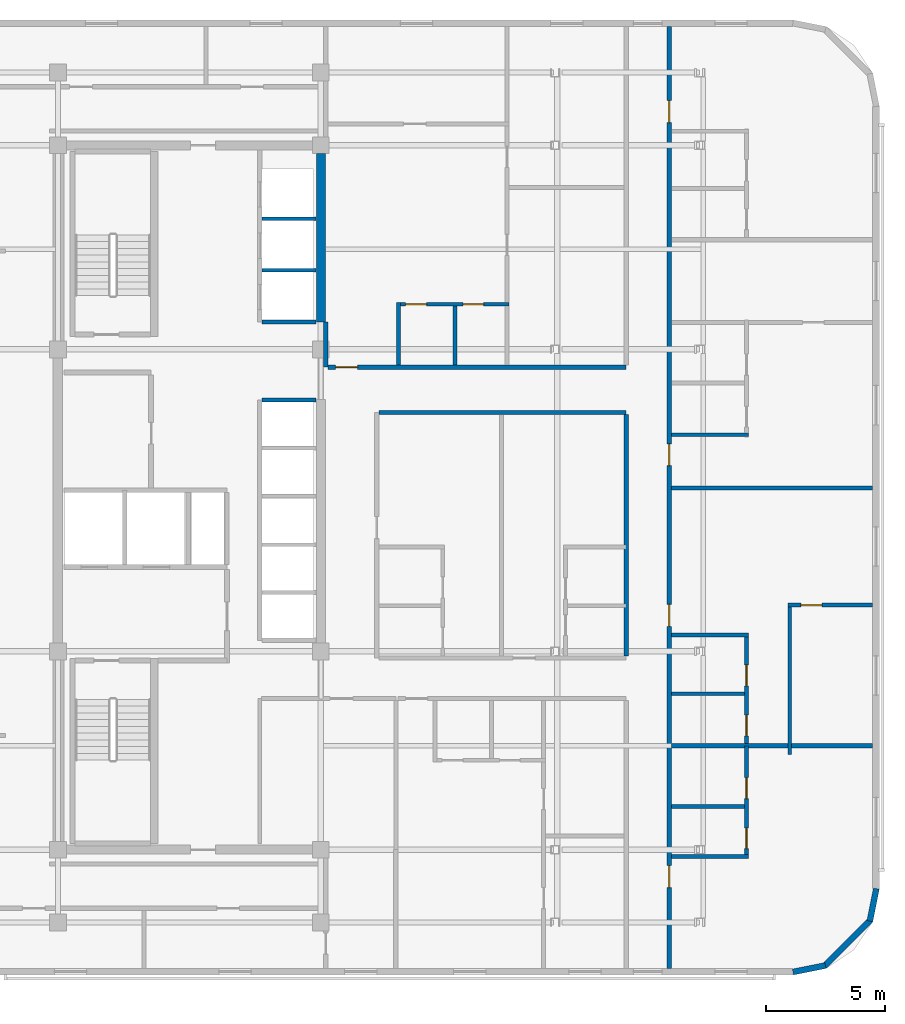
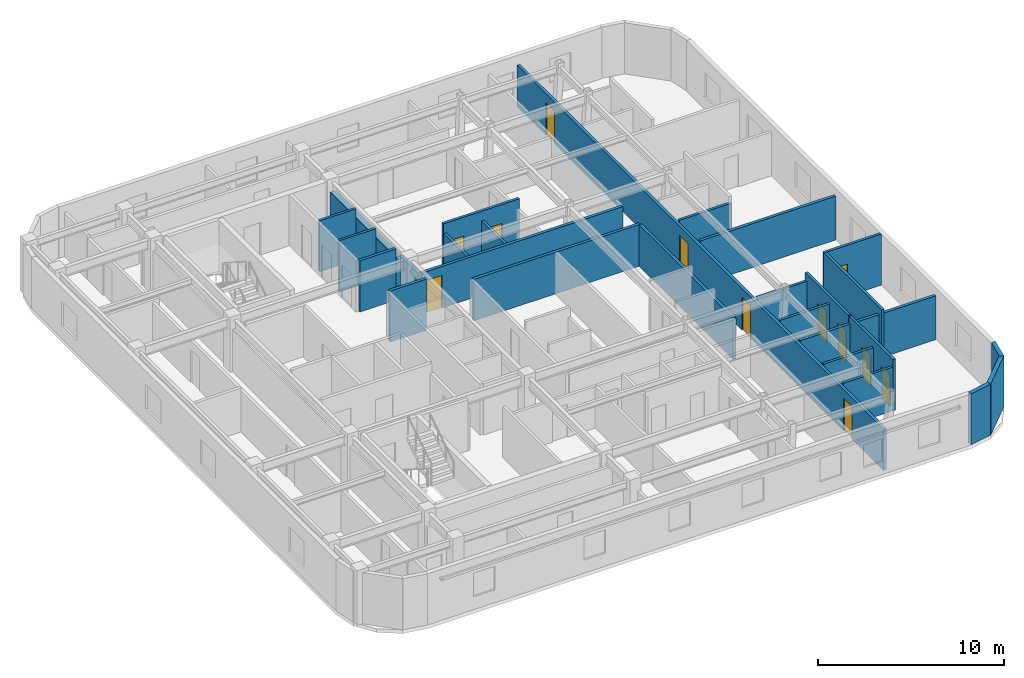
# One storey, part 5 of 10: 27 walls, 12 doors, 12 openings.
"""IFC4 building model written with IfcOpenShell, lengths in metres."""

from ifc_helpers import new_model, si_unit, direction, frame, frame_2d, origin, place, context, subcontext, project, spatial, rectangle, extrude, material, layer, layer_set, type_object, element, fill, save


model = new_model("IFC4")

# Units and contexts
model_context = context("Model", 3, precision=1e-05, world=origin(), true_north=direction((0.0, 1.0)))
body_context = subcontext(model_context, "Body", "Model", "MODEL_VIEW")
ifc_project = project(units=[si_unit("LENGTHUNIT", "METRE"), si_unit("AREAUNIT", "SQUARE_METRE"), si_unit("VOLUMEUNIT", "CUBIC_METRE"), si_unit("PLANEANGLEUNIT", "RADIAN"), si_unit("MASSUNIT", "GRAM", prefix="KILO")], contexts=[model_context])

# Site, building, storey
site_placement = place(None, origin())
site = spatial("IfcSite", under=ifc_project, at=site_placement, CompositionType="ELEMENT")
building_placement = place(site_placement, origin())
building = spatial("IfcBuilding", under=site, at=building_placement, Name="Ochreholt Gables", CompositionType="ELEMENT")
storey_placement = place(building_placement, frame((0.0, 0.0, 144.60009765625)))
storey = spatial("IfcBuildingStorey", under=building, at=storey_placement, Name="L37", CompositionType="ELEMENT", Elevation=144.60009765625)

# Walls
ifc_material_1 = material(Name="Concrete 50 MPa", Category="concrete")
ifc_layer_1 = layer(ifc_material_1, 0.3798828125, Name="Concrete 50 MPa")
ifc_layer_set_1 = layer_set([ifc_layer_1], Name="Concrete 50 MPa")
wall_type_1 = type_object("IfcWallType", Name="WALL-CSW-380", PredefinedType="SHEAR", material=ifc_layer_set_1)
wall_1_placement = place(storey_placement, frame((35.2099609375, 31.35009765625, 0.0), z_axis=(0.0, 0.0, 1.0), x_axis=(0.0, 1.0, 0.0)))
element("IfcWall", 1, at=wall_1_placement, inside=storey, type_object=wall_type_1, Name="L37 Core North-East Shear Wall", PredefinedType="SHEAR", context=body_context, shape_type="SweptSolid", body=[
    extrude(rectangle(XDim=7.0498046875, YDim=0.3798828125, at=frame_2d((3.52490234375, 0.0))), origin(), (0.0, 0.0, 1.0), 2.747802734375),
])
ifc_material_2 = material(Name="Precast concrete 40 MPa", Category="concrete")
ifc_layer_2 = layer(ifc_material_2, 0.25, Name="Precast concrete 40 MPa")
ifc_layer_set_2 = layer_set([ifc_layer_2], Name="Precast concrete 40 MPa")
wall_type_2 = type_object("IfcWallType", Name="WALL-EXT-CNR", PredefinedType="SOLIDWALL", material=ifc_layer_set_2)
wall_2_placement = place(storey_placement, frame((54.9833984375, 4.124267578125, 0.0), z_axis=(0.0, 0.0, 1.0), x_axis=(0.980809899341, 0.19496651342, 0.0)))
element("IfcWall", 2, at=wall_2_placement, inside=storey, type_object=wall_type_2, Name="L37 Rounded Corner Wall SE-1", PredefinedType="SOLIDWALL", context=body_context, shape_type="SweptSolid", body=[
    extrude(rectangle(XDim=1.388671875, YDim=0.25, at=frame_2d((0.6943359375, 0.0))), origin(), (0.0, 0.0, 1.0), 3.35986328125),
])
wall_3_placement = place(storey_placement, frame((56.294921875, 4.367919921875, 0.0), z_axis=(0.0, 0.0, 1.0), x_axis=(0.707106781187, 0.707106781187, 0.0)))
element("IfcWall", 3, at=wall_3_placement, inside=storey, type_object=wall_type_2, Name="L37 Rounded Corner Wall SE-2", PredefinedType="SOLIDWALL", context=body_context, shape_type="SweptSolid", body=[
    extrude(rectangle(XDim=2.7392578125, YDim=0.25, at=frame_2d((1.36962890625, 0.0))), origin(), (0.0, 0.0, 1.0), 3.35986328125),
])
wall_4_placement = place(storey_placement, frame((58.205078125, 6.25439453125, 0.0), z_axis=(0.0, 0.0, 1.0), x_axis=(0.19496651342, 0.980809899341, 0.0)))
element("IfcWall", 4, at=wall_4_placement, inside=storey, type_object=wall_type_2, Name="L37 Rounded Corner Wall SE-3", PredefinedType="SOLIDWALL", context=body_context, shape_type="SweptSolid", body=[
    extrude(rectangle(XDim=1.388671875, YDim=0.25, at=frame_2d((0.6943359375, 0.0))), origin(), (0.0, 0.0, 1.0), 3.35986328125),
])
ifc_material_3 = material(Name="Fire-Rated Gypsum Acoustic Partition", Category="gypsum")
ifc_layer_3 = layer(ifc_material_3, 0.179931640625, Name="Fire-Rated Gypsum Acoustic Partition")
ifc_layer_set_3 = layer_set([ifc_layer_3], Name="Fire-Rated Gypsum Acoustic Partition")
wall_type_3 = type_object("IfcWallType", Name="WALL-INT-CR180", PredefinedType="STANDARD", material=ifc_layer_set_3)
wall_5_placement = place(storey_placement, frame((37.639892578125, 27.56005859375, 0.0), z_axis=(0.0, 0.0, 1.0), x_axis=(1.0, 0.0, 0.0)))
element("IfcWall", 5, at=wall_5_placement, inside=storey, type_object=wall_type_3, Name="L37 Interior Wall WI-C2SN1-L37", PredefinedType="STANDARD", context=body_context, shape_type="SweptSolid", body=[
    extrude(rectangle(XDim=10.360107421875, YDim=0.179931640625, at=frame_2d((5.18017578125, 0.0))), origin(), (0.0, 0.0, 1.0), 2.72998046875),
])
wall_6_placement = place(storey_placement, frame((35.419921875, 29.4599609375, 0.0), z_axis=(0.0, 0.0, 1.0), x_axis=(0.0, 1.0, 0.0)))
element("IfcWall", 6, at=wall_6_placement, inside=storey, type_object=wall_type_3, Name="L37 Interior Wall WI-C2NCL-L37", PredefinedType="STANDARD", context=body_context, shape_type="SweptSolid", body=[
    extrude(rectangle(XDim=1.89013671875, YDim=0.179931640625, at=frame_2d((0.945068359375, 0.0))), origin(), (0.0, 0.0, 1.0), 2.72998046875),
])

# Wall, opening, door
wall_7_placement = place(storey_placement, frame((35.510009765625, 29.4599609375, 0.0), z_axis=(0.0, 0.0, 1.0), x_axis=(1.0, 0.0, 0.0)))
wall_7 = element("IfcWall", 7, at=wall_7_placement, inside=storey, type_object=wall_type_3, Name="L37 Interior Wall WI-C2SN2-L37", PredefinedType="STANDARD", context=body_context, shape_type="SweptSolid", body=[
    extrude(rectangle(XDim=12.489990234375, YDim=0.179931640625, at=frame_2d((6.2451171875, 0.0))), origin(), (0.0, 0.0, 1.0), 2.72998046875),
])
opening_1_placement = place(wall_7_placement, frame((0.320068359375, 0.0, 0.0)))
opening_1 = element("IfcOpeningElement", 8, at=opening_1_placement, cuts=wall_7, Name="Opening D-UN1", PredefinedType="OPENING", context=body_context, shape_type="SweptSolid", body=[
    extrude(rectangle(XDim=0.919921875, YDim=2.14990234375, at=frame_2d((0.4599609375, 1.074951171875))), frame((0.0, 0.099853515625, 0.0), z_axis=(0.0, -1.0, 0.0), x_axis=(1.0, 0.0, 0.0)), (0.0, 0.0, 1.0), 0.199951171875),
])
ifc_material_4 = material(Name="Engineered Oak Timber", Category="wood")
door_type_1 = type_object("IfcDoorType", Name="DR-INT-UNT920", OperationType="NOTDEFINED", PredefinedType="DOOR", material=ifc_material_4)
door_1_placement = place(opening_1_placement, origin())
door_1 = element("IfcDoor", 9, at=door_1_placement, inside=storey, type_object=door_type_1, Name="L37 Door D-U-L37N1-ENT", OperationType="SINGLE_SWING_LEFT", OverallHeight=2.14990234375, OverallWidth=0.919921875, PredefinedType="DOOR", context=body_context, shape_type="SweptSolid", body=[
    extrude(rectangle(XDim=0.919921875, YDim=2.14990234375, at=frame_2d((0.4599609375, 1.074951171875))), frame((0.0, 0.02490234375, 0.0), z_axis=(0.0, -1.0, 0.0), x_axis=(1.0, 0.0, 0.0)), (0.0, 0.0, 1.0), 0.050048828125),
])
fill(opening_1, door_1)

# Wall, openings, doors
wall_8_placement = place(storey_placement, frame((49.800048828125, 4.280029296875, 0.0), z_axis=(0.0, 0.0, 1.0), x_axis=(0.0, 1.0, 0.0)))
wall_8 = element("IfcWall", 10, at=wall_8_placement, inside=storey, type_object=wall_type_3, Name="L37 Interior Wall WI-C2FEG-L37", PredefinedType="STANDARD", context=body_context, shape_type="SweptSolid", body=[
    extrude(rectangle(XDim=39.43994140625, YDim=0.179931640625, at=frame_2d((19.719970703125, 0.0))), origin(), (0.0, 0.0, 1.0), 2.72998046875),
])
opening_2_placement = place(wall_8_placement, frame((3.3798828125, 0.0, 0.0)))
opening_2 = element("IfcOpeningElement", 11, at=opening_2_placement, cuts=wall_8, Name="Opening D-UN1", PredefinedType="OPENING", context=body_context, shape_type="SweptSolid", body=[
    extrude(rectangle(XDim=0.919921875, YDim=2.14990234375, at=frame_2d((0.4599609375, 1.074951171875))), frame((0.0, 0.099853515625, 0.0), z_axis=(0.0, -1.0, 0.0), x_axis=(1.0, 0.0, 0.0)), (0.0, 0.0, 1.0), 0.199951171875),
])
opening_3_placement = place(wall_8_placement, frame((14.320068359375, 0.0, 0.0)))
opening_3 = element("IfcOpeningElement", 12, at=opening_3_placement, cuts=wall_8, Name="Opening D-UN1", PredefinedType="OPENING", context=body_context, shape_type="SweptSolid", body=[
    extrude(rectangle(XDim=0.919921875, YDim=2.14990234375, at=frame_2d((0.4599609375, 1.074951171875))), frame((0.0, 0.099853515625, 0.0), z_axis=(0.0, -1.0, 0.0), x_axis=(1.0, 0.0, 0.0)), (0.0, 0.0, 1.0), 0.199951171875),
])
opening_4_placement = place(wall_8_placement, frame((21.05029296875, 0.0, 0.0)))
opening_4 = element("IfcOpeningElement", 13, at=opening_4_placement, cuts=wall_8, Name="Opening D-UN1", PredefinedType="OPENING", context=body_context, shape_type="SweptSolid", body=[
    extrude(rectangle(XDim=0.919921875, YDim=2.14990234375, at=frame_2d((0.4599609375, 1.074951171875))), frame((0.0, 0.099853515625, 0.0), z_axis=(0.0, -1.0, 0.0), x_axis=(1.0, 0.0, 0.0)), (0.0, 0.0, 1.0), 0.199951171875),
])
opening_5_placement = place(wall_8_placement, frame((35.419921875, 0.0, 0.0)))
opening_5 = element("IfcOpeningElement", 14, at=opening_5_placement, cuts=wall_8, Name="Opening D-UN1", PredefinedType="OPENING", context=body_context, shape_type="SweptSolid", body=[
    extrude(rectangle(XDim=0.919921875, YDim=2.14990234375, at=frame_2d((0.4599609375, 1.074951171875))), frame((0.0, 0.099853515625, 0.0), z_axis=(0.0, -1.0, 0.0), x_axis=(1.0, 0.0, 0.0)), (0.0, 0.0, 1.0), 0.199951171875),
])
door_2_placement = place(opening_2_placement, origin())
door_2 = element("IfcDoor", 15, at=door_2_placement, inside=storey, type_object=door_type_1, Name="L37 Door D-U-L37FE1-ENT", OperationType="SINGLE_SWING_RIGHT", OverallHeight=2.14990234375, OverallWidth=0.919921875, PredefinedType="DOOR", context=body_context, shape_type="SweptSolid", body=[
    extrude(rectangle(XDim=0.919921875, YDim=2.14990234375, at=frame_2d((0.4599609375, 1.074951171875))), frame((0.0, 0.02490234375, 0.0), z_axis=(0.0, -1.0, 0.0), x_axis=(1.0, 0.0, 0.0)), (0.0, 0.0, 1.0), 0.050048828125),
])
fill(opening_2, door_2)
door_3_placement = place(opening_3_placement, origin())
door_3 = element("IfcDoor", 16, at=door_3_placement, inside=storey, type_object=door_type_1, Name="L37 Door D-U-L37FE2-ENT", OperationType="SINGLE_SWING_LEFT", OverallHeight=2.14990234375, OverallWidth=0.919921875, PredefinedType="DOOR", context=body_context, shape_type="SweptSolid", body=[
    extrude(rectangle(XDim=0.919921875, YDim=2.14990234375, at=frame_2d((0.4599609375, 1.074951171875))), frame((0.0, 0.02490234375, 0.0), z_axis=(0.0, -1.0, 0.0), x_axis=(1.0, 0.0, 0.0)), (0.0, 0.0, 1.0), 0.050048828125),
])
fill(opening_3, door_3)
door_4_placement = place(opening_4_placement, origin())
door_4 = element("IfcDoor", 17, at=door_4_placement, inside=storey, type_object=door_type_1, Name="L37 Door D-U-L37FE3-ENT", OperationType="SINGLE_SWING_RIGHT", OverallHeight=2.14990234375, OverallWidth=0.919921875, PredefinedType="DOOR", context=body_context, shape_type="SweptSolid", body=[
    extrude(rectangle(XDim=0.919921875, YDim=2.14990234375, at=frame_2d((0.4599609375, 1.074951171875))), frame((0.0, 0.02490234375, 0.0), z_axis=(0.0, -1.0, 0.0), x_axis=(1.0, 0.0, 0.0)), (0.0, 0.0, 1.0), 0.050048828125),
])
fill(opening_4, door_4)
door_5_placement = place(opening_5_placement, origin())
door_5 = element("IfcDoor", 18, at=door_5_placement, inside=storey, type_object=door_type_1, Name="L37 Door D-U-L37FE4-ENT", OperationType="SINGLE_SWING_LEFT", OverallHeight=2.14990234375, OverallWidth=0.919921875, PredefinedType="DOOR", context=body_context, shape_type="SweptSolid", body=[
    extrude(rectangle(XDim=0.919921875, YDim=2.14990234375, at=frame_2d((0.4599609375, 1.074951171875))), frame((0.0, 0.02490234375, 0.0), z_axis=(0.0, -1.0, 0.0), x_axis=(1.0, 0.0, 0.0)), (0.0, 0.0, 1.0), 0.050048828125),
])
fill(opening_5, door_5)

# Walls
wall_9_placement = place(storey_placement, frame((48.0, 17.3701171875, 0.0), z_axis=(0.0, 0.0, 1.0), x_axis=(0.0, 1.0, 0.0)))
element("IfcWall", 19, at=wall_9_placement, inside=storey, type_object=wall_type_3, Name="L37 Interior Wall WI-C2FEGW2-L37", PredefinedType="STANDARD", context=body_context, shape_type="SweptSolid", body=[
    extrude(rectangle(XDim=10.099853515625, YDim=0.179931640625, at=frame_2d((5.0498046875, 0.0))), origin(), (0.0, 0.0, 1.0), 2.72998046875),
])
ifc_material_5 = material(Name="Double-Stud Acoustic Demising Wall", Category="gypsum")
ifc_layer_4 = layer(ifc_material_5, 0.179931640625, Name="Double-Stud Acoustic Demising Wall")
ifc_layer_set_4 = layer_set([ifc_layer_4], Name="Double-Stud Acoustic Demising Wall")
wall_type_4 = type_object("IfcWallType", Name="WALL-INT-DM180", PredefinedType="PARTITIONING", material=ifc_layer_set_4)
for number, where, z_axis, x_axis, name in (
    (20, (49.889892578125, 13.60009765625, 0.0), (0.0, 0.0, 1.0), (1.0, 0.0, 0.0), "L37 Interior Wall WI-C2FED2-L37"),
    (21, (49.889892578125, 24.39990234375, 0.0), (0.0, 0.0, 1.0), (1.0, 0.0, 0.0), "L37 Interior Wall WI-C2FED3-L37"),
):
    element("IfcWall", number, at=place(storey_placement, frame(where, z_axis=z_axis, x_axis=x_axis)), inside=storey, type_object=wall_type_4, Name=name, PredefinedType="PARTITIONING", context=body_context, shape_type="SweptSolid", body=[
        extrude(rectangle(XDim=8.43017578125, YDim=0.179931640625, at=frame_2d((4.215087890625, 0.0))), origin(), (0.0, 0.0, 1.0), 2.87890625),
    ])

# Wall, openings, doors
ifc_material_6 = material(Name="Moisture-Resistant Plumbing Chase Wall", Category="gypsum")
ifc_layer_5 = layer(ifc_material_6, 0.159912109375, Name="Moisture-Resistant Plumbing Chase Wall")
ifc_layer_set_5 = layer_set([ifc_layer_5], Name="Moisture-Resistant Plumbing Chase Wall")
wall_type_5 = type_object("IfcWallType", Name="WALL-INT-PL160", PredefinedType="PLUMBINGWALL", material=ifc_layer_set_5)
wall_10_placement = place(storey_placement, frame((38.3798828125, 32.094970703125, 0.0), z_axis=(0.0, 0.0, 1.0), x_axis=(1.0, 0.0, 0.0)))
wall_10 = element("IfcWall", 22, at=wall_10_placement, inside=storey, type_object=wall_type_5, Name="L37 Interior Wall WU-L37N1-WY", PredefinedType="PLUMBINGWALL", context=body_context, shape_type="SweptSolid", body=[
    extrude(rectangle(XDim=4.710205078125, YDim=0.159912109375, at=frame_2d((2.35498046875, 0.0))), origin(), (0.0, 0.0, 1.0), 3.35986328125),
])
opening_6_placement = place(wall_10_placement, frame((0.3798828125, 0.0, 0.0)))
opening_6 = element("IfcOpeningElement", 23, at=opening_6_placement, cuts=wall_10, Name="Opening D-GN2", PredefinedType="OPENING", context=body_context, shape_type="SweptSolid", body=[
    extrude(rectangle(XDim=0.8798828125, YDim=2.1201171875, at=frame_2d((0.43994140625, 1.06005859375))), frame((0.0, 0.08984375, 0.0), z_axis=(0.0, -1.0, 0.0), x_axis=(1.0, 0.0, 0.0)), (0.0, 0.0, 1.0), 0.179931640625),
])
opening_7_placement = place(wall_10_placement, frame((2.785888671875, 0.0, 0.0)))
opening_7 = element("IfcOpeningElement", 24, at=opening_7_placement, cuts=wall_10, Name="Opening D-BT1", PredefinedType="OPENING", context=body_context, shape_type="SweptSolid", body=[
    extrude(rectangle(XDim=0.860107421875, YDim=2.1201171875, at=frame_2d((0.43017578125, 1.06005859375))), frame((0.0, 0.08984375, 0.0), z_axis=(0.0, -1.0, 0.0), x_axis=(1.0, 0.0, 0.0)), (0.0, 0.0, 1.0), 0.179931640625),
])
door_type_2 = type_object("IfcDoorType", Name="DR-INT-BTH860", OperationType="NOTDEFINED", PredefinedType="DOOR", material=ifc_material_4)
door_6_placement = place(opening_7_placement, origin())
door_6 = element("IfcDoor", 25, at=door_6_placement, inside=storey, type_object=door_type_2, Name="L37 Door D-U-L37N1-BTH", OperationType="SINGLE_SWING_LEFT", OverallHeight=2.1201171875, OverallWidth=0.860107421875, PredefinedType="DOOR", context=body_context, shape_type="SweptSolid", body=[
    extrude(rectangle(XDim=0.860107421875, YDim=2.1201171875, at=frame_2d((0.43017578125, 1.06005859375))), frame((0.0, 0.02490234375, 0.0), z_axis=(0.0, -1.0, 0.0), x_axis=(1.0, 0.0, 0.0)), (0.0, 0.0, 1.0), 0.050048828125),
])
fill(opening_7, door_6)
door_type_3 = type_object("IfcDoorType", Name="DR-INT-GEN880", OperationType="NOTDEFINED", PredefinedType="DOOR", material=ifc_material_4)
door_7_placement = place(opening_6_placement, origin())
door_7 = element("IfcDoor", 26, at=door_7_placement, inside=storey, type_object=door_type_3, Name="L37 Door D-U-L37N1-KIT", OperationType="SINGLE_SWING_RIGHT", OverallHeight=2.1201171875, OverallWidth=0.8798828125, PredefinedType="DOOR", context=body_context, shape_type="SweptSolid", body=[
    extrude(rectangle(XDim=0.8798828125, YDim=2.1201171875, at=frame_2d((0.43994140625, 1.06005859375))), frame((0.0, 0.02490234375, 0.0), z_axis=(0.0, -1.0, 0.0), x_axis=(1.0, 0.0, 0.0)), (0.0, 0.0, 1.0), 0.050048828125),
])
fill(opening_6, door_7)

# Walls
wall_11_placement = place(storey_placement, frame((38.4599609375, 29.550048828125, 0.0), z_axis=(0.0, 0.0, 1.0), x_axis=(0.0, 1.0, 0.0)))
element("IfcWall", 27, at=wall_11_placement, inside=storey, type_object=wall_type_5, Name="L37 Interior Wall WU-L37N1-FY", PredefinedType="PLUMBINGWALL", context=body_context, shape_type="SweptSolid", body=[
    extrude(rectangle(XDim=2.625, YDim=0.159912109375, at=frame_2d((1.3125, 0.0))), origin(), (0.0, 0.0, 1.0), 2.72998046875),
])
wall_12_placement = place(storey_placement, frame((40.825927734375, 29.550048828125, 0.0), z_axis=(0.0, 0.0, 1.0), x_axis=(0.0, 1.0, 0.0)))
element("IfcWall", 28, at=wall_12_placement, inside=storey, type_object=wall_type_5, Name="L37 Interior Wall WU-L37N1-WK", PredefinedType="PLUMBINGWALL", context=body_context, shape_type="SweptSolid", body=[
    extrude(rectangle(XDim=2.46484375, YDim=0.159912109375, at=frame_2d((1.232421875, 0.0))), origin(), (0.0, 0.0, 1.0), 2.72998046875),
])
wall_13_placement = place(storey_placement, frame((49.889892578125, 8.9599609375, 0.0), z_axis=(0.0, 0.0, 1.0), x_axis=(1.0, 0.0, 0.0)))
element("IfcWall", 29, at=wall_13_placement, inside=storey, type_object=wall_type_5, Name="L37 Interior Wall WU-L37FE1-WYS", PredefinedType="PLUMBINGWALL", context=body_context, shape_type="SweptSolid", body=[
    extrude(rectangle(XDim=3.230224609375, YDim=0.159912109375, at=frame_2d((1.615234375, 0.0))), origin(), (0.0, 0.0, 1.0), 2.87890625),
])

# Wall, openings, doors
wall_14_placement = place(storey_placement, frame((53.0400390625, 8.8701171875, 0.0), z_axis=(0.0, 0.0, 1.0), x_axis=(0.0, 1.0, 0.0)))
wall_14 = element("IfcWall", 30, at=wall_14_placement, inside=storey, type_object=wall_type_5, Name="L37 Interior Wall WU-L37FE1-WX", PredefinedType="PLUMBINGWALL", context=body_context, shape_type="SweptSolid", body=[
    extrude(rectangle(XDim=4.72998046875, YDim=0.159912109375, at=frame_2d((2.364990234375, 0.0))), origin(), (0.0, 0.0, 1.0), 3.35986328125),
])
opening_8_placement = place(wall_14_placement, frame((0.419921875, 0.0, 0.0)))
opening_8 = element("IfcOpeningElement", 31, at=opening_8_placement, cuts=wall_14, Name="Opening D-BT1", PredefinedType="OPENING", context=body_context, shape_type="SweptSolid", body=[
    extrude(rectangle(XDim=0.860107421875, YDim=2.1201171875, at=frame_2d((0.43017578125, 1.06005859375))), frame((0.0, 0.08984375, 0.0), z_axis=(0.0, -1.0, 0.0), x_axis=(1.0, 0.0, 0.0)), (0.0, 0.0, 1.0), 0.179931640625),
])
opening_9_placement = place(wall_14_placement, frame((2.512939453125, 0.0, 0.0)))
opening_9 = element("IfcOpeningElement", 32, at=opening_9_placement, cuts=wall_14, Name="Opening D-GN2", PredefinedType="OPENING", context=body_context, shape_type="SweptSolid", body=[
    extrude(rectangle(XDim=0.8798828125, YDim=2.1201171875, at=frame_2d((0.43994140625, 1.06005859375))), frame((0.0, 0.08984375, 0.0), z_axis=(0.0, -1.0, 0.0), x_axis=(1.0, 0.0, 0.0)), (0.0, 0.0, 1.0), 0.179931640625),
])
door_8_placement = place(opening_8_placement, origin())
door_8 = element("IfcDoor", 33, at=door_8_placement, inside=storey, type_object=door_type_2, Name="L37 Door D-U-L37FE1-BTH", OperationType="SINGLE_SWING_LEFT", OverallHeight=2.1201171875, OverallWidth=0.860107421875, PredefinedType="DOOR", context=body_context, shape_type="SweptSolid", body=[
    extrude(rectangle(XDim=0.860107421875, YDim=2.1201171875, at=frame_2d((0.43017578125, 1.06005859375))), frame((0.0, 0.02490234375, 0.0), z_axis=(0.0, -1.0, 0.0), x_axis=(1.0, 0.0, 0.0)), (0.0, 0.0, 1.0), 0.050048828125),
])
fill(opening_8, door_8)
door_9_placement = place(opening_9_placement, origin())
door_9 = element("IfcDoor", 34, at=door_9_placement, inside=storey, type_object=door_type_3, Name="L37 Door D-U-L37FE1-KIT", OperationType="SINGLE_SWING_RIGHT", OverallHeight=2.1201171875, OverallWidth=0.8798828125, PredefinedType="DOOR", context=body_context, shape_type="SweptSolid", body=[
    extrude(rectangle(XDim=0.8798828125, YDim=2.1201171875, at=frame_2d((0.43994140625, 1.06005859375))), frame((0.0, 0.02490234375, 0.0), z_axis=(0.0, -1.0, 0.0), x_axis=(1.0, 0.0, 0.0)), (0.0, 0.0, 1.0), 0.050048828125),
])
fill(opening_9, door_9)

# Walls
wall_15_placement = place(storey_placement, frame((49.889892578125, 11.052978515625, 0.0), z_axis=(0.0, 0.0, 1.0), x_axis=(1.0, 0.0, 0.0)))
element("IfcWall", 35, at=wall_15_placement, inside=storey, type_object=wall_type_5, Name="L37 Interior Wall WU-L37FE1-WM", PredefinedType="PLUMBINGWALL", context=body_context, shape_type="SweptSolid", body=[
    extrude(rectangle(XDim=3.070068359375, YDim=0.159912109375, at=frame_2d((1.53515625, 0.0))), origin(), (0.0, 0.0, 1.0), 2.87890625),
])
wall_16_placement = place(storey_placement, frame((49.889892578125, 18.239990234375, 0.0), z_axis=(0.0, 0.0, 1.0), x_axis=(1.0, 0.0, 0.0)))
element("IfcWall", 36, at=wall_16_placement, inside=storey, type_object=wall_type_5, Name="L37 Interior Wall WU-L37FE2-WYN", PredefinedType="PLUMBINGWALL", context=body_context, shape_type="SweptSolid", body=[
    extrude(rectangle(XDim=3.230224609375, YDim=0.159912109375, at=frame_2d((1.615234375, 0.0))), origin(), (0.0, 0.0, 1.0), 2.87890625),
])

# Wall, openings, doors
wall_17_placement = place(storey_placement, frame((53.0400390625, 13.68994140625, 0.0), z_axis=(0.0, 0.0, 1.0), x_axis=(0.0, 1.0, 0.0)))
wall_17 = element("IfcWall", 37, at=wall_17_placement, inside=storey, type_object=wall_type_5, Name="L37 Interior Wall WU-L37FE2-WX", PredefinedType="PLUMBINGWALL", context=body_context, shape_type="SweptSolid", body=[
    extrude(rectangle(XDim=4.64013671875, YDim=0.159912109375, at=frame_2d((2.320068359375, 0.0))), origin(), (0.0, 0.0, 1.0), 3.35986328125),
])
opening_10_placement = place(wall_17_placement, frame((0.330078125, 0.0, 0.0)))
opening_10 = element("IfcOpeningElement", 38, at=opening_10_placement, cuts=wall_17, Name="Opening D-BT1", PredefinedType="OPENING", context=body_context, shape_type="SweptSolid", body=[
    extrude(rectangle(XDim=0.860107421875, YDim=2.1201171875, at=frame_2d((0.43017578125, 1.06005859375))), frame((0.0, 0.08984375, 0.0), z_axis=(0.0, -1.0, 0.0), x_axis=(1.0, 0.0, 0.0)), (0.0, 0.0, 1.0), 0.179931640625),
])
opening_11_placement = place(wall_17_placement, frame((2.423095703125, 0.0, 0.0)))
opening_11 = element("IfcOpeningElement", 39, at=opening_11_placement, cuts=wall_17, Name="Opening D-GN2", PredefinedType="OPENING", context=body_context, shape_type="SweptSolid", body=[
    extrude(rectangle(XDim=0.8798828125, YDim=2.1201171875, at=frame_2d((0.43994140625, 1.06005859375))), frame((0.0, 0.08984375, 0.0), z_axis=(0.0, -1.0, 0.0), x_axis=(1.0, 0.0, 0.0)), (0.0, 0.0, 1.0), 0.179931640625),
])
door_10_placement = place(opening_10_placement, origin())
door_10 = element("IfcDoor", 40, at=door_10_placement, inside=storey, type_object=door_type_2, Name="L37 Door D-U-L37FE2-BTH", OperationType="SINGLE_SWING_RIGHT", OverallHeight=2.1201171875, OverallWidth=0.860107421875, PredefinedType="DOOR", context=body_context, shape_type="SweptSolid", body=[
    extrude(rectangle(XDim=0.860107421875, YDim=2.1201171875, at=frame_2d((0.43017578125, 1.06005859375))), frame((0.0, 0.02490234375, 0.0), z_axis=(0.0, -1.0, 0.0), x_axis=(1.0, 0.0, 0.0)), (0.0, 0.0, 1.0), 0.050048828125),
])
fill(opening_10, door_10)
door_11_placement = place(opening_11_placement, origin())
door_11 = element("IfcDoor", 41, at=door_11_placement, inside=storey, type_object=door_type_3, Name="L37 Door D-U-L37FE2-KIT", OperationType="SINGLE_SWING_LEFT", OverallHeight=2.1201171875, OverallWidth=0.8798828125, PredefinedType="DOOR", context=body_context, shape_type="SweptSolid", body=[
    extrude(rectangle(XDim=0.8798828125, YDim=2.1201171875, at=frame_2d((0.43994140625, 1.06005859375))), frame((0.0, 0.02490234375, 0.0), z_axis=(0.0, -1.0, 0.0), x_axis=(1.0, 0.0, 0.0)), (0.0, 0.0, 1.0), 0.050048828125),
])
fill(opening_11, door_11)

# Walls
wall_18_placement = place(storey_placement, frame((49.889892578125, 15.782958984375, 0.0), z_axis=(0.0, 0.0, 1.0), x_axis=(1.0, 0.0, 0.0)))
element("IfcWall", 42, at=wall_18_placement, inside=storey, type_object=wall_type_5, Name="L37 Interior Wall WU-L37FE2-WM", PredefinedType="PLUMBINGWALL", context=body_context, shape_type="SweptSolid", body=[
    extrude(rectangle(XDim=3.070068359375, YDim=0.159912109375, at=frame_2d((1.53515625, 0.0))), origin(), (0.0, 0.0, 1.0), 2.87890625),
])
wall_19_placement = place(storey_placement, frame((49.889892578125, 26.63037109375, 0.0), z_axis=(0.0, 0.0, 1.0), x_axis=(1.0, 0.0, 0.0)))
element("IfcWall", 43, at=wall_19_placement, inside=storey, type_object=wall_type_5, Name="L37 Interior Wall WU-L37FE3-FYS", PredefinedType="PLUMBINGWALL", context=body_context, shape_type="SweptSolid", body=[
    extrude(rectangle(XDim=3.230224609375, YDim=0.159912109375, at=frame_2d((1.615234375, 0.0))), origin(), (0.0, 0.0, 1.0), 2.87890625),
])
ifc_material_7 = material(Name="Gypsum Acoustic Stud Partition", Category="gypsum")
ifc_layer_6 = layer(ifc_material_7, 0.1650390625, Name="Gypsum Acoustic Stud Partition")
ifc_layer_set_6 = layer_set([ifc_layer_6], Name="Gypsum Acoustic Stud Partition")
wall_type_6 = type_object("IfcWallType", Name="WALL-INT-PT165", PredefinedType="PARTITIONING", material=ifc_layer_set_6)
wall_20_placement = place(storey_placement, frame((54.85009765625, 13.239990234375, 0.0), z_axis=(0.0, 0.0, 1.0), x_axis=(0.0, 1.0, 0.0)))
element("IfcWall", 44, at=wall_20_placement, inside=storey, type_object=wall_type_6, Name="L37 Interior Wall WU-L37FE2-STW", PredefinedType="PARTITIONING", context=body_context, shape_type="SweptSolid", body=[
    extrude(rectangle(XDim=6.25, YDim=0.1650390625, at=frame_2d((3.125, 0.0))), origin(), (0.0, 0.0, 1.0), 3.35986328125),
])

# Wall, opening, door
wall_21_placement = place(storey_placement, frame((54.77001953125, 19.489990234375, 0.0), z_axis=(0.0, 0.0, 1.0), x_axis=(1.0, 0.0, 0.0)))
wall_21 = element("IfcWall", 45, at=wall_21_placement, inside=storey, type_object=wall_type_6, Name="L37 Interior Wall WU-L37FE2-STN", PredefinedType="PARTITIONING", context=body_context, shape_type="SweptSolid", body=[
    extrude(rectangle(XDim=3.550048828125, YDim=0.1650390625, at=frame_2d((1.77490234375, 0.0))), origin(), (0.0, 0.0, 1.0), 3.35986328125),
])
opening_12_placement = place(wall_21_placement, frame((0.550048828125, 0.0, 0.0)))
opening_12 = element("IfcOpeningElement", 46, at=opening_12_placement, cuts=wall_21, Name="Opening D-GN2", PredefinedType="OPENING", context=body_context, shape_type="SweptSolid", body=[
    extrude(rectangle(XDim=0.8798828125, YDim=2.1201171875, at=frame_2d((0.43994140625, 1.06005859375))), frame((0.0, 0.092529296875, 0.0), z_axis=(0.0, -1.0, 0.0), x_axis=(1.0, 0.0, 0.0)), (0.0, 0.0, 1.0), 0.18505859375),
])
door_12_placement = place(opening_12_placement, origin())
door_12 = element("IfcDoor", 47, at=door_12_placement, inside=storey, type_object=door_type_3, Name="L37 Door D-U-L37FE2-STD", OperationType="SINGLE_SWING_RIGHT", OverallHeight=2.1201171875, OverallWidth=0.8798828125, PredefinedType="DOOR", context=body_context, shape_type="SweptSolid", body=[
    extrude(rectangle(XDim=0.8798828125, YDim=2.1201171875, at=frame_2d((0.43994140625, 1.06005859375))), frame((0.0, 0.02490234375, 0.0), z_axis=(0.0, -1.0, 0.0), x_axis=(1.0, 0.0, 0.0)), (0.0, 0.0, 1.0), 0.050048828125),
])
fill(opening_12, door_12)

# Walls
ifc_material_8 = material(Name="Gypsum Shaftliner and Steel Stud", Category="steel")
ifc_layer_7 = layer(ifc_material_8, 0.14990234375, Name="Gypsum Shaftliner and Steel Stud")
ifc_layer_set_7 = layer_set([ifc_layer_7], Name="Gypsum Shaftliner and Steel Stud")
wall_type_7 = type_object("IfcWallType", Name="WALL-INT-SH150", PredefinedType="STANDARD", material=ifc_layer_set_7)
for number, where, z_axis, x_axis, name in (
    (48, (32.739990234375, 33.52001953125, 0.0), (0.0, 0.0, 1.0), (1.0, 0.0, 0.0), "L37 Interior Wall WI-LFM-D1-L37"),
    (49, (32.739990234375, 35.669921875, 0.0), (0.0, 0.0, 1.0), (1.0, 0.0, 0.0), "L37 Interior Wall WI-LFM-D2-L37"),
):
    element("IfcWall", number, at=place(storey_placement, frame(where, z_axis=z_axis, x_axis=x_axis)), inside=storey, type_object=wall_type_7, Name=name, PredefinedType="STANDARD", context=body_context, shape_type="SweptSolid", body=[
        extrude(rectangle(XDim=2.260009765625, YDim=0.14990234375, at=frame_2d((1.1298828125, 0.0))), origin(), (0.0, 0.0, 1.0), 3.35986328125),
    ])
ifc_layer_8 = layer(ifc_material_8, 0.179931640625, Name="Gypsum Shaftliner and Steel Stud")
ifc_layer_set_8 = layer_set([ifc_layer_8], Name="Gypsum Shaftliner and Steel Stud")
wall_type_8 = type_object("IfcWallType", Name="WALL-INT-SH180", PredefinedType="STANDARD", material=ifc_layer_set_8)
for number, where, z_axis, x_axis, name in (
    (50, (32.739990234375, 28.080078125, 0.0), (0.0, 0.0, 1.0), (1.0, 0.0, 0.0), "L37 Interior Wall WI-LFHE-N-L37"),
    (51, (32.739990234375, 31.35009765625, 0.0), (0.0, 0.0, 1.0), (1.0, 0.0, 0.0), "L37 Interior Wall WI-LFM-S-L37"),
):
    element("IfcWall", number, at=place(storey_placement, frame(where, z_axis=z_axis, x_axis=x_axis)), inside=storey, type_object=wall_type_8, Name=name, PredefinedType="STANDARD", context=body_context, shape_type="SweptSolid", body=[
        extrude(rectangle(XDim=2.260009765625, YDim=0.179931640625, at=frame_2d((1.1298828125, 0.0))), origin(), (0.0, 0.0, 1.0), 3.35986328125),
    ])

save(model, "model.ifc")
